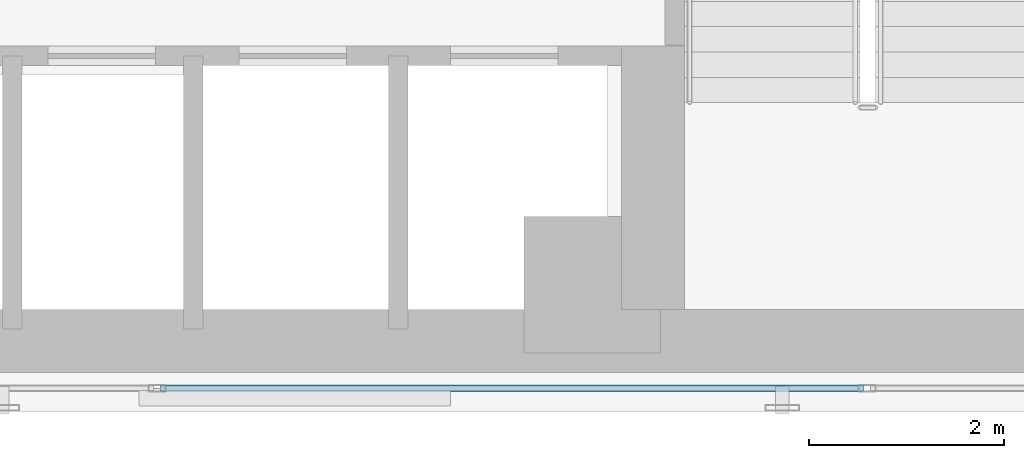
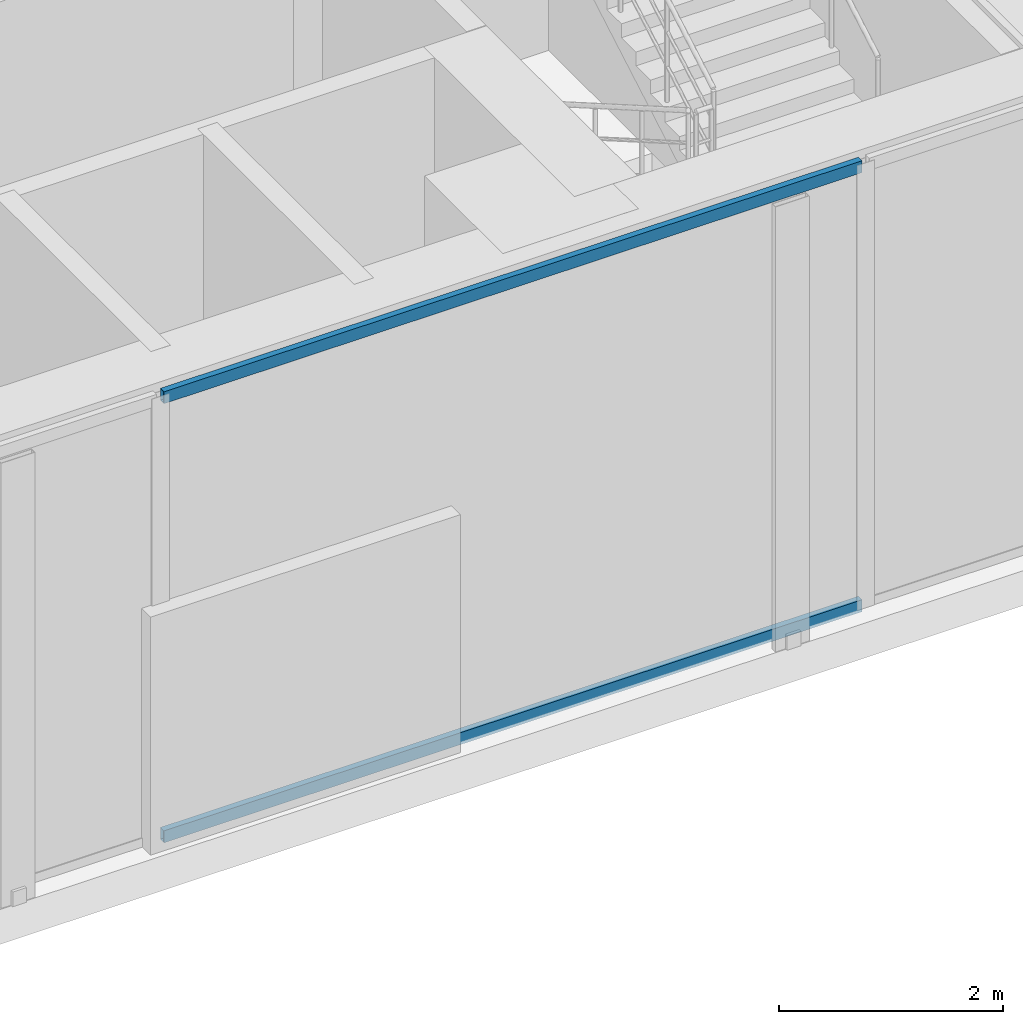
# One storey, part 3 of 37: 2 members, 1 element without a shape of its own.
"""IFC4 building model written with IfcOpenShell, lengths in metres."""

from ifc_helpers import new_model, si_unit, direction, frame, origin, origin_with_axes, origin_2d, place, context, subcontext, project, spatial, hollow_rectangle, extrude, source, transform, mapped, material, layer, layer_set, material_profile, profile_set, type_object, element, aggregate, save


model = new_model("IFC4")

# Units and contexts
model_context = context("Model", 3, precision=1e-05, world=origin(), true_north=direction((0.0, 1.0)))
body_context = subcontext(model_context, "Body", "Model", "MODEL_VIEW")
ifc_project = project(units=[si_unit("LENGTHUNIT", "METRE"), si_unit("AREAUNIT", "SQUARE_METRE"), si_unit("VOLUMEUNIT", "CUBIC_METRE"), si_unit("PLANEANGLEUNIT", "RADIAN"), si_unit("MASSUNIT", "GRAM", prefix="KILO")], contexts=[model_context])

# Site, building, storey
site_placement = place(None, origin())
site = spatial("IfcSite", under=ifc_project, at=site_placement, CompositionType="ELEMENT")
building_placement = place(site_placement, origin())
building = spatial("IfcBuilding", under=site, at=building_placement, Name="Kolvaren Waterfront Exchange", CompositionType="ELEMENT")
storey_placement = place(building_placement, frame((0.0, 0.0, 141.10009765625)))
storey = spatial("IfcBuildingStorey", under=building, at=storey_placement, Name="L36", CompositionType="ELEMENT", Elevation=141.10009765625)

# Curtain wall, members
ifc_material_1 = material(Name="Anodised dark bronze spandrel aluminium", Category="aluminium")
ifc_layer = layer(ifc_material_1, 0.219970703125, Name="Anodised dark bronze spandrel aluminium")
ifc_layer_set = layer_set([ifc_layer], Name="Anodised dark bronze spandrel aluminium")
curtain_wall_type = type_object("IfcCurtainWallType", Name="ARC-CW-SYS6", PredefinedType="USERDEFINED", material=ifc_layer_set)
curtain_wall_placement = place(storey_placement, origin())
curtain_wall = element("IfcCurtainWall", 1, at=curtain_wall_placement, inside=storey, type_object=curtain_wall_type, Name="L36 stick curtain wall CW6 (CW-L36-S)", ObjectType="STICK CURTAIN WALL", PredefinedType="USERDEFINED")
ifc_material_2 = material(Name="Anodised bronze aluminium 6063-T6", Category="aluminium")
ifc_material_profile = material_profile(ifc_material_2, hollow_rectangle(XDim=0.06494140625, YDim=0.1298828125, WallThickness=0.00390625, at=origin_2d()), Name="ALU-TRN-130x65x4")
ifc_profile_set = profile_set([ifc_material_profile], Name="Anodised bronze aluminium 6063-T6")
member_type = type_object("IfcMemberType", Name="ARC-CWT-130", PredefinedType="USERDEFINED", material=ifc_profile_set)
shared_shape = source(origin_with_axes(), body_context, "Body", "SweptSolid", [
    extrude(hollow_rectangle(XDim=0.06494140625, YDim=0.1298828125, WallThickness=0.00390625, at=origin_2d()), origin(), (0.0, 0.0, 1.0), 7.210693359375),
])
member_1_placement = place(storey_placement, frame((11.023193359375, 3.840087890625, 0.032470703125), z_axis=(1.0, 0.0, 0.0), x_axis=(0.0, 1.0, 0.0)))
member_1 = element("IfcMember", 2, at=member_1_placement, type_object=member_type, Name="CW6 transom 2.1", ObjectType="TRANSOM", PredefinedType="USERDEFINED", context=body_context, shape_type="MappedRepresentation", body=[
    mapped(shared_shape, transform((0.0, 0.0, 0.0), x_axis=(1.0, 0.0, 0.0), y_axis=(0.0, 1.0, 0.0), z_axis=(0.0, 0.0, 1.0), scale=1.0)),
])
member_2_placement = place(storey_placement, frame((11.023193359375, 3.840087890625, 4.827392578125), z_axis=(1.0, 0.0, 0.0), x_axis=(0.0, 1.0, 0.0)))
member_2 = element("IfcMember", 3, at=member_2_placement, type_object=member_type, Name="CW6 transom 2.2", ObjectType="TRANSOM", PredefinedType="USERDEFINED", context=body_context, shape_type="MappedRepresentation", body=[
    mapped(shared_shape, transform((0.0, 0.0, 0.0), x_axis=(1.0, 0.0, 0.0), y_axis=(0.0, 1.0, 0.0), z_axis=(0.0, 0.0, 1.0), scale=1.0)),
])
aggregate(curtain_wall, [member_1, member_2])

save(model, "model.ifc")
